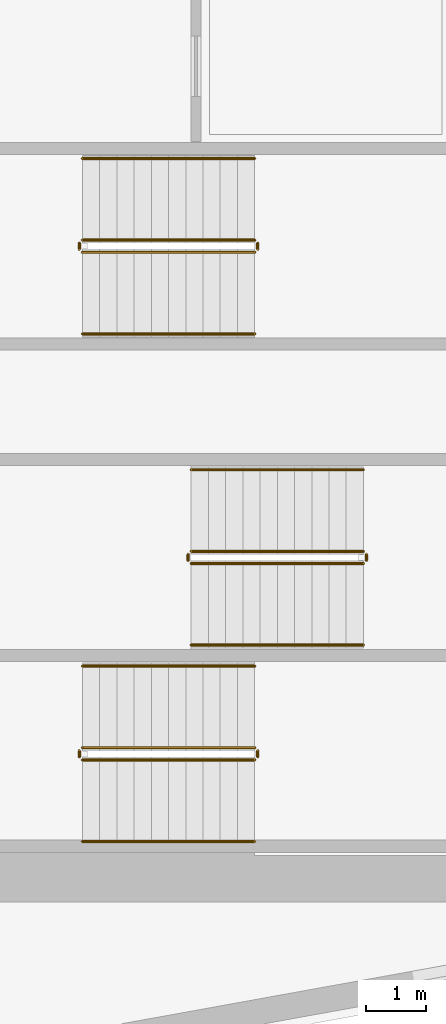
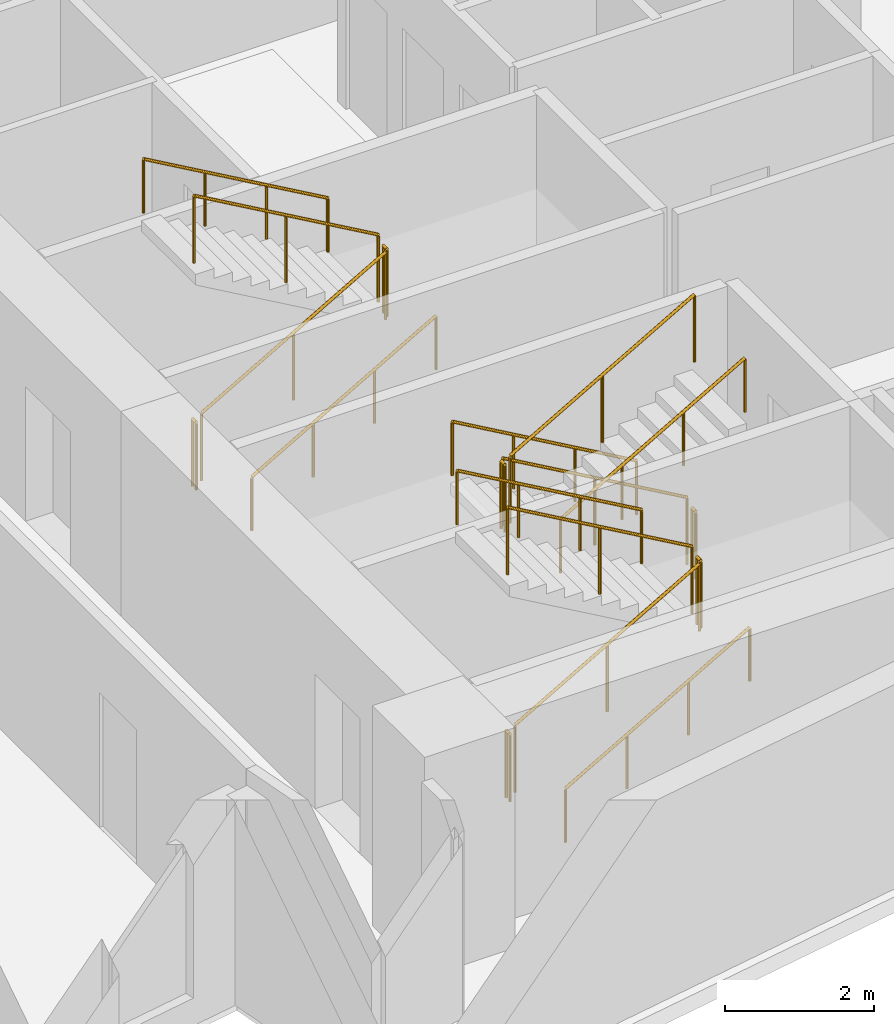
# One storey, part 18 of 19: 18 railings.
"""IFC4 building model written with IfcOpenShell, lengths in metres."""

import ifcopenshell
import ifcopenshell.guid

model = None  # the IFC model being written
_history = None  # IfcOwnerHistory: only IFC2X3 demands one
_inside = {}  # id of a spatial element -> (the spatial element, [elements in it])
_under = {}  # id of a project, library or spatial element -> (it, [spatial elements below it])
_declared = {}  # id of a project -> (the project, [libraries it declares])
_typed = {}  # id of a type object -> (the type object, [elements of that type])
_made_of = {}  # id of a material, layer set ... -> (it, [elements and type objects made of it])


def new_model(schema):
    """Start an empty IFC model of exactly this schema.

    Asked for "IFC4X3", IfcOpenShell would pick the latest addendum, in which some entities
    have other attributes; the version numbers below select the first issue.
    IFC2X3 requires an IfcOwnerHistory on every rooted entity: one is made here for all.
    """
    global model, _history
    if schema == "IFC4X3":
        model = ifcopenshell.file(schema_version=(4, 3, 0, 0))
    else:
        model = ifcopenshell.file(schema=schema)
    _inside.clear()
    _under.clear()
    _declared.clear()
    _typed.clear()
    _made_of.clear()
    _history = None
    if model.schema == "IFC2X3":
        org = make("IfcOrganization", Name="unknown")
        user = make(
            "IfcPersonAndOrganization",
            ThePerson=make("IfcPerson", FamilyName="unknown"),
            TheOrganization=org,
        )
        app = make(
            "IfcApplication",
            ApplicationDeveloper=org,
            Version="unknown",
            ApplicationFullName="unknown",
            ApplicationIdentifier="unknown",
        )
        _history = make(
            "IfcOwnerHistory",
            OwningUser=user,
            OwningApplication=app,
            ChangeAction="ADDED",
            CreationDate=0,
        )
    return model


def make(cls, **values):
    """One entity of the class cls with the attributes given. An attribute that is None is left unset."""
    return model.create_entity(
        cls, **{name: value for name, value in values.items() if value is not None}
    )


def rooted(cls, **values):
    """An entity with a GlobalId (a new one), such as an element, a storey or a relation."""
    return make(cls, GlobalId=ifcopenshell.guid.new(), OwnerHistory=_history, **values)


def si_unit(unit_type, name, prefix=None):
    """IfcSIUnit, for example si_unit("LENGTHUNIT", "METRE", prefix="MILLI")."""
    return make("IfcSIUnit", UnitType=unit_type, Prefix=prefix, Name=name)


def assignment(units):
    """IfcUnitAssignment: the units of a project."""
    return None if units is None else make("IfcUnitAssignment", Units=units)


def point(xyz):
    """IfcCartesianPoint."""
    return None if xyz is None else make("IfcCartesianPoint", Coordinates=xyz)


def direction(xyz):
    """IfcDirection."""
    return None if xyz is None else make("IfcDirection", DirectionRatios=xyz)


def frame(location, z_axis=None, x_axis=None):
    """IfcAxis2Placement3D, a coordinate frame: its origin and axes. An axis left out is left unset."""
    return make(
        "IfcAxis2Placement3D",
        Location=point(location),
        Axis=direction(z_axis),
        RefDirection=direction(x_axis),
    )


def frame_2d(location, x_axis=None):
    """IfcAxis2Placement2D, a coordinate frame in the plane: its origin and x axis."""
    return make(
        "IfcAxis2Placement2D", Location=point(location), RefDirection=direction(x_axis)
    )


def origin():
    """The frame at (0, 0, 0) with its axes left unset."""
    return frame((0.0, 0.0, 0.0))


def origin_2d():
    """The frame at (0, 0) in the plane with its x axis left unset."""
    return frame_2d((0.0, 0.0))


def place(relative_to, where):
    """IfcLocalPlacement: puts the frame where relative to a parent placement (None: the world)."""
    return make(
        "IfcLocalPlacement", PlacementRelTo=relative_to, RelativePlacement=where
    )


def context(
    kind, dimensions, precision=None, world=None, true_north=None, identifier=None
):
    """IfcGeometricRepresentationContext, for example the 3D "Model" context."""
    return make(
        "IfcGeometricRepresentationContext",
        ContextIdentifier=identifier,
        ContextType=kind,
        CoordinateSpaceDimension=dimensions,
        Precision=precision,
        WorldCoordinateSystem=world,
        TrueNorth=true_north,
    )


def subcontext(parent, identifier, kind, view, scale=None):
    """IfcGeometricRepresentationSubContext, for example "Body" below "Model"."""
    return make(
        "IfcGeometricRepresentationSubContext",
        ContextIdentifier=identifier,
        ContextType=kind,
        ParentContext=parent,
        TargetScale=scale,
        TargetView=view,
    )


def project(units=None, contexts=None):
    """IfcProject with its units and contexts."""
    return rooted(
        "IfcProject",
        Name="project",
        RepresentationContexts=contexts,
        UnitsInContext=assignment(units),
    )


def spatial(cls, under=None, at=None, **own):
    """A site, building, storey or space (cls), placed at a placement, below another one or the project."""
    s = rooted(cls, ObjectPlacement=at, **own)
    if under is not None:
        _under.setdefault(under.id(), (under, []))[1].append(s)
    return s


def profile(cls, at=None, kind="AREA", **sizes):
    """A parametric profile (cls). Its sizes go by their IFC names, for example OverallWidth=200.0."""
    return make(cls, ProfileType=kind, Position=at, **sizes)


def circle(**sizes):
    """IfcCircleProfileDef."""
    return profile("IfcCircleProfileDef", **sizes)


def extrude(swept, where, along, depth):
    """IfcExtrudedAreaSolid: the profile swept, set in the frame where, extruded along a direction by depth."""
    return make(
        "IfcExtrudedAreaSolid",
        SweptArea=swept,
        Position=where,
        ExtrudedDirection=direction(along),
        Depth=depth,
    )


def shape(context_of_items, identifier, shape_type, items):
    """IfcShapeRepresentation: the items that make up one representation, for example the "Body"."""
    return make(
        "IfcShapeRepresentation",
        ContextOfItems=context_of_items,
        RepresentationIdentifier=identifier,
        RepresentationType=shape_type,
        Items=items,
    )


def material(Name=None, Category=None):
    """IfcMaterial."""
    return make("IfcMaterial", Name=Name, Category=Category)


def made_of(thing, what):
    """Note that an element or type object is made of a material, layer set ...; save() writes the relation."""
    if what is not None:
        _made_of.setdefault(what.id(), (what, []))[1].append(thing)
    return thing


def type_object(cls, material=None, **own):
    """A type object (cls), such as IfcWallType, which elements share."""
    return made_of(rooted(cls, **own), material)


def element(
    cls,
    number,
    at=None,
    inside=None,
    cuts=None,
    type_object=None,
    material=None,
    context=None,
    identifier="Body",
    shape_type=None,
    held_by="IfcProductDefinitionShape",
    body=None,
    shapes=None,
    **own,
):
    """One element of the class cls, such as IfcWall. Its Tag is "e" and its number.

    at: its placement. inside: the storey or other place that contains it. cuts: it is an
    opening in that element (IfcRelVoidsElement). A single representation is given by context,
    identifier, shape_type and body (its items); several are given by shapes. held_by: the class
    of the entity that holds the representations. save() writes the other relations.
    """
    e = rooted(cls, Tag="e%d" % number, ObjectPlacement=at, **own)
    if body is not None:
        shapes = [shape(context, identifier, shape_type, body)]
    if shapes is not None:
        e.Representation = make(held_by, Representations=shapes)
    if inside is not None:
        _inside.setdefault(inside.id(), (inside, []))[1].append(e)
    if cuts is not None:
        rooted(
            "IfcRelVoidsElement", RelatingBuildingElement=cuts, RelatedOpeningElement=e
        )
    if type_object is not None:
        _typed.setdefault(type_object.id(), (type_object, []))[1].append(e)
    return made_of(e, material)


def aggregate(whole, parts):
    """IfcRelAggregates: a whole, such as a stair, and the parts it consists of."""
    return rooted("IfcRelAggregates", RelatingObject=whole, RelatedObjects=parts)


def save(model, path):
    """Write the relations noted so far, then the file.

    IfcRelAggregates (storeys below a building ...), IfcRelContainedInSpatialStructure (elements
    in a storey), IfcRelDefinesByType, IfcRelAssociatesMaterial and IfcRelDeclares: one each for
    every whole, place, type object, material and project.
    """
    for whole, parts in _under.values():
        aggregate(whole, parts)
    for where, things in _inside.values():
        rooted(
            "IfcRelContainedInSpatialStructure",
            RelatedElements=things,
            RelatingStructure=where,
        )
    for kind, things in _typed.values():
        rooted("IfcRelDefinesByType", RelatedObjects=things, RelatingType=kind)
    for what, things in _made_of.values():
        rooted("IfcRelAssociatesMaterial", RelatedObjects=things, RelatingMaterial=what)
    for by, libraries in _declared.values():
        rooted("IfcRelDeclares", RelatingContext=by, RelatedDefinitions=libraries)
    model.write(path)


model = new_model("IFC4")

# Units and contexts
model_context = context("Model", 3, precision=1e-05, world=origin(), true_north=direction((0.0, 1.0)))
body_context = subcontext(model_context, "Body", "Model", "MODEL_VIEW")
ifc_project = project(units=[si_unit("LENGTHUNIT", "METRE"), si_unit("AREAUNIT", "SQUARE_METRE"), si_unit("VOLUMEUNIT", "CUBIC_METRE"), si_unit("PLANEANGLEUNIT", "RADIAN"), si_unit("MASSUNIT", "GRAM", prefix="KILO")], contexts=[model_context])

# Site, building, storey
site_placement = place(None, origin())
site = spatial("IfcSite", under=ifc_project, at=site_placement, CompositionType="ELEMENT")
building_placement = place(site_placement, origin())
building = spatial("IfcBuilding", under=site, at=building_placement, Name="Narakoshi Arena Tower", CompositionType="ELEMENT")
storey_placement = place(building_placement, frame((0.0, 0.0, 113.699951171875)))
storey = spatial("IfcBuildingStorey", under=building, at=storey_placement, Name="L30", CompositionType="ELEMENT", Elevation=113.699951171875)

# Railings
ifc_material_1 = material(Name="Clear low-iron laminated structural glass", Category="glass")
railing_type_1 = type_object("IfcRailingType", Name="RL-BAL-1100", PredefinedType="BALUSTRADE", material=ifc_material_1)
railing_1_placement = place(storey_placement, frame((74.39990234375, 36.949951171875, 0.16357421875)))
element("IfcRailing", 1, at=railing_1_placement, inside=storey, type_object=railing_type_1, Name="L30 ST1 stair guard 1", PredefinedType="BALUSTRADE", context=body_context, shape_type="SweptSolid", body=[
    extrude(circle(Radius=0.02392578125, at=origin_2d()), frame((0.0, 0.0, 1.09619140625), z_axis=(0.86721270334, 0.0, 0.497937874806), x_axis=(0.0, 1.0, 0.0)), (0.0, 0.0, 1.0), 3.28662109375),
    extrude(circle(Radius=0.02099609375, at=origin_2d()), origin(), (0.0, 0.0, 1.0), 1.072021484375),
    extrude(circle(Radius=0.02099609375, at=origin_2d()), frame((1.425048828125, 0.0, 0.818359375)), (0.0, 0.0, 1.0), 1.072021484375),
    extrude(circle(Radius=0.02099609375, at=origin_2d()), frame((2.85009765625, 0.0, 1.636474609375)), (0.0, 0.0, 1.0), 1.072021484375),
])
railing_2_placement = place(storey_placement, frame((77.300048828125, 37.0, 1.800048828125)))
element("IfcRailing", 2, at=railing_2_placement, inside=storey, type_object=railing_type_1, Name="L30 ST1 stair guard 2", PredefinedType="BALUSTRADE", context=body_context, shape_type="SweptSolid", body=[
    extrude(circle(Radius=0.02392578125, at=origin_2d()), frame((0.0, 0.0, 1.09619140625), z_axis=(0.0, 1.0, 0.0), x_axis=(-1.0, 0.0, 0.0)), (0.0, 0.0, 1.0), 0.10009765625),
    extrude(circle(Radius=0.02099609375, at=origin_2d()), origin(), (0.0, 0.0, 1.0), 1.072021484375),
    extrude(circle(Radius=0.02099609375, at=origin_2d()), frame((0.0, 0.10009765625, 0.0)), (0.0, 0.0, 1.0), 1.072021484375),
])
railing_3_placement = place(storey_placement, frame((77.25, 37.14990234375, 1.963623046875)))
element("IfcRailing", 3, at=railing_3_placement, inside=storey, type_object=railing_type_1, Name="L30 ST1 stair guard 3", PredefinedType="BALUSTRADE", context=body_context, shape_type="SweptSolid", body=[
    extrude(circle(Radius=0.02392578125, at=origin_2d()), frame((0.0, 0.0, 1.09619140625), z_axis=(-0.86721270334, 0.0, 0.497937874806), x_axis=(0.0, -1.0, 0.0)), (0.0, 0.0, 1.0), 3.28662109375),
    extrude(circle(Radius=0.02099609375, at=origin_2d()), origin(), (0.0, 0.0, 1.0), 1.072021484375),
    extrude(circle(Radius=0.02099609375, at=origin_2d()), frame((-1.425048828125, 0.0, 0.818359375)), (0.0, 0.0, 1.0), 1.072021484375),
    extrude(circle(Radius=0.02099609375, at=origin_2d()), frame((-2.85009765625, 0.0, 1.636474609375)), (0.0, 0.0, 1.0), 1.072021484375),
])
railing_4_placement = place(storey_placement, frame((74.35009765625, 37.0, 0.0)))
element("IfcRailing", 4, at=railing_4_placement, inside=storey, type_object=railing_type_1, Name="L30 ST1 stair guard 4", PredefinedType="BALUSTRADE", context=body_context, shape_type="SweptSolid", body=[
    extrude(circle(Radius=0.02392578125, at=origin_2d()), frame((0.0, 0.0, 1.09619140625), z_axis=(0.0, 1.0, 0.0), x_axis=(-1.0, 0.0, 0.0)), (0.0, 0.0, 1.0), 0.10009765625),
    extrude(circle(Radius=0.02099609375, at=origin_2d()), origin(), (0.0, 0.0, 1.0), 1.072021484375),
    extrude(circle(Radius=0.02099609375, at=origin_2d()), frame((0.0, 0.10009765625, 0.0)), (0.0, 0.0, 1.0), 1.072021484375),
])
railing_5_placement = place(storey_placement, frame((79.050048828125, 40.39990234375, 0.16357421875)))
element("IfcRailing", 5, at=railing_5_placement, inside=storey, type_object=railing_type_1, Name="L30 ST2 stair guard 1", PredefinedType="BALUSTRADE", context=body_context, shape_type="SweptSolid", body=[
    extrude(circle(Radius=0.02392578125, at=origin_2d()), frame((0.0, 0.0, 1.09619140625), z_axis=(-0.86721270334, 0.0, 0.497937874806), x_axis=(0.0, -1.0, 0.0)), (0.0, 0.0, 1.0), 3.28662109375),
    extrude(circle(Radius=0.02099609375, at=origin_2d()), origin(), (0.0, 0.0, 1.0), 1.072021484375),
    extrude(circle(Radius=0.02099609375, at=origin_2d()), frame((-1.425048828125, 0.0, 0.818359375)), (0.0, 0.0, 1.0), 1.072021484375),
    extrude(circle(Radius=0.02099609375, at=origin_2d()), frame((-2.85009765625, 0.0, 1.636474609375)), (0.0, 0.0, 1.0), 1.072021484375),
])
railing_6_placement = place(storey_placement, frame((76.14990234375, 40.35009765625, 1.800048828125)))
element("IfcRailing", 6, at=railing_6_placement, inside=storey, type_object=railing_type_1, Name="L30 ST2 stair guard 2", PredefinedType="BALUSTRADE", context=body_context, shape_type="SweptSolid", body=[
    extrude(circle(Radius=0.02392578125, at=origin_2d()), frame((0.0, 0.0, 1.09619140625), z_axis=(0.0, -1.0, 0.0), x_axis=(1.0, 0.0, 0.0)), (0.0, 0.0, 1.0), 0.10009765625),
    extrude(circle(Radius=0.02099609375, at=origin_2d()), origin(), (0.0, 0.0, 1.0), 1.072021484375),
    extrude(circle(Radius=0.02099609375, at=origin_2d()), frame((0.0, -0.10009765625, 0.0)), (0.0, 0.0, 1.0), 1.072021484375),
])
railing_7_placement = place(storey_placement, frame((76.199951171875, 40.199951171875, 1.963623046875)))
element("IfcRailing", 7, at=railing_7_placement, inside=storey, type_object=railing_type_1, Name="L30 ST2 stair guard 3", PredefinedType="BALUSTRADE", context=body_context, shape_type="SweptSolid", body=[
    extrude(circle(Radius=0.02392578125, at=origin_2d()), frame((0.0, 0.0, 1.09619140625), z_axis=(0.86721270334, 0.0, 0.497937874806), x_axis=(0.0, 1.0, 0.0)), (0.0, 0.0, 1.0), 3.28662109375),
    extrude(circle(Radius=0.02099609375, at=origin_2d()), origin(), (0.0, 0.0, 1.0), 1.072021484375),
    extrude(circle(Radius=0.02099609375, at=origin_2d()), frame((1.425048828125, 0.0, 0.818359375)), (0.0, 0.0, 1.0), 1.072021484375),
    extrude(circle(Radius=0.02099609375, at=origin_2d()), frame((2.85009765625, 0.0, 1.636474609375)), (0.0, 0.0, 1.0), 1.072021484375),
])
railing_8_placement = place(storey_placement, frame((79.10009765625, 40.35009765625, 0.0)))
element("IfcRailing", 8, at=railing_8_placement, inside=storey, type_object=railing_type_1, Name="L30 ST2 stair guard 4", PredefinedType="BALUSTRADE", context=body_context, shape_type="SweptSolid", body=[
    extrude(circle(Radius=0.02392578125, at=origin_2d()), frame((0.0, 0.0, 1.09619140625), z_axis=(0.0, -1.0, 0.0), x_axis=(1.0, 0.0, 0.0)), (0.0, 0.0, 1.0), 0.10009765625),
    extrude(circle(Radius=0.02099609375, at=origin_2d()), origin(), (0.0, 0.0, 1.0), 1.072021484375),
    extrude(circle(Radius=0.02099609375, at=origin_2d()), frame((0.0, -0.10009765625, 0.0)), (0.0, 0.0, 1.0), 1.072021484375),
])
railing_9_placement = place(storey_placement, frame((74.39990234375, 45.35009765625, 0.16357421875)))
element("IfcRailing", 9, at=railing_9_placement, inside=storey, type_object=railing_type_1, Name="L30 ST3 stair guard 1", PredefinedType="BALUSTRADE", context=body_context, shape_type="SweptSolid", body=[
    extrude(circle(Radius=0.02392578125, at=origin_2d()), frame((0.0, 0.0, 1.09619140625), z_axis=(0.86721270334, 0.0, 0.497937874806), x_axis=(0.0, 1.0, 0.0)), (0.0, 0.0, 1.0), 3.28662109375),
    extrude(circle(Radius=0.02099609375, at=origin_2d()), origin(), (0.0, 0.0, 1.0), 1.072021484375),
    extrude(circle(Radius=0.02099609375, at=origin_2d()), frame((1.425048828125, 0.0, 0.818359375)), (0.0, 0.0, 1.0), 1.072021484375),
    extrude(circle(Radius=0.02099609375, at=origin_2d()), frame((2.85009765625, 0.0, 1.636474609375)), (0.0, 0.0, 1.0), 1.072021484375),
])
railing_10_placement = place(storey_placement, frame((77.300048828125, 45.39990234375, 1.800048828125)))
element("IfcRailing", 10, at=railing_10_placement, inside=storey, type_object=railing_type_1, Name="L30 ST3 stair guard 2", PredefinedType="BALUSTRADE", context=body_context, shape_type="SweptSolid", body=[
    extrude(circle(Radius=0.02392578125, at=origin_2d()), frame((0.0, 0.0, 1.09619140625), z_axis=(0.0, 1.0, 0.0), x_axis=(-1.0, 0.0, 0.0)), (0.0, 0.0, 1.0), 0.10009765625),
    extrude(circle(Radius=0.02099609375, at=origin_2d()), origin(), (0.0, 0.0, 1.0), 1.072021484375),
    extrude(circle(Radius=0.02099609375, at=origin_2d()), frame((0.0, 0.10009765625, 0.0)), (0.0, 0.0, 1.0), 1.072021484375),
])
railing_11_placement = place(storey_placement, frame((77.25, 45.550048828125, 1.963623046875)))
element("IfcRailing", 11, at=railing_11_placement, inside=storey, type_object=railing_type_1, Name="L30 ST3 stair guard 3", PredefinedType="BALUSTRADE", context=body_context, shape_type="SweptSolid", body=[
    extrude(circle(Radius=0.02392578125, at=origin_2d()), frame((0.0, 0.0, 1.09619140625), z_axis=(-0.86721270334, 0.0, 0.497937874806), x_axis=(0.0, -1.0, 0.0)), (0.0, 0.0, 1.0), 3.28662109375),
    extrude(circle(Radius=0.02099609375, at=origin_2d()), origin(), (0.0, 0.0, 1.0), 1.072021484375),
    extrude(circle(Radius=0.02099609375, at=origin_2d()), frame((-1.425048828125, 0.0, 0.818359375)), (0.0, 0.0, 1.0), 1.072021484375),
    extrude(circle(Radius=0.02099609375, at=origin_2d()), frame((-2.85009765625, 0.0, 1.636474609375)), (0.0, 0.0, 1.0), 1.072021484375),
])
railing_12_placement = place(storey_placement, frame((74.35009765625, 45.39990234375, 0.0)))
element("IfcRailing", 12, at=railing_12_placement, inside=storey, type_object=railing_type_1, Name="L30 ST3 stair guard 4", PredefinedType="BALUSTRADE", context=body_context, shape_type="SweptSolid", body=[
    extrude(circle(Radius=0.02392578125, at=origin_2d()), frame((0.0, 0.0, 1.09619140625), z_axis=(0.0, 1.0, 0.0), x_axis=(-1.0, 0.0, 0.0)), (0.0, 0.0, 1.0), 0.10009765625),
    extrude(circle(Radius=0.02099609375, at=origin_2d()), origin(), (0.0, 0.0, 1.0), 1.072021484375),
    extrude(circle(Radius=0.02099609375, at=origin_2d()), frame((0.0, 0.10009765625, 0.0)), (0.0, 0.0, 1.0), 1.072021484375),
])
ifc_material_2 = material(Name="Brushed bronze stainless steel", Category="steel")
railing_type_2 = type_object("IfcRailingType", Name="RL-HND-900", PredefinedType="HANDRAIL", material=ifc_material_2)
railing_13_placement = place(storey_placement, frame((74.39990234375, 35.60009765625, 0.16357421875)))
element("IfcRailing", 13, at=railing_13_placement, inside=storey, type_object=railing_type_2, Name="L30 ST1 stair handrail 1", PredefinedType="HANDRAIL", context=body_context, shape_type="SweptSolid", body=[
    extrude(circle(Radius=0.02392578125, at=origin_2d()), frame((0.0, 0.0, 0.8759765625), z_axis=(0.86721270334, 0.0, 0.497937874806), x_axis=(0.0, 1.0, 0.0)), (0.0, 0.0, 1.0), 3.28662109375),
    extrude(circle(Radius=0.02099609375, at=origin_2d()), origin(), (0.0, 0.0, 1.0), 0.851806640625),
    extrude(circle(Radius=0.02099609375, at=origin_2d()), frame((0.949951171875, 0.0, 0.54541015625)), (0.0, 0.0, 1.0), 0.851806640625),
    extrude(circle(Radius=0.02099609375, at=origin_2d()), frame((1.900146484375, 0.0, 1.091064453125)), (0.0, 0.0, 1.0), 0.851806640625),
    extrude(circle(Radius=0.02099609375, at=origin_2d()), frame((2.85009765625, 0.0, 1.636474609375)), (0.0, 0.0, 1.0), 0.851806640625),
])
for number, where, name in (
    (14, (77.25, 38.5, 1.963623046875), "L30 ST1 stair handrail 2"),
    (15, (79.050048828125, 41.75, 0.16357421875), "L30 ST2 stair handrail 1"),
):
    element("IfcRailing", number, at=place(storey_placement, frame(where)), inside=storey, type_object=railing_type_2, Name=name, PredefinedType="HANDRAIL", context=body_context, shape_type="SweptSolid", body=[
        extrude(circle(Radius=0.02392578125, at=origin_2d()), frame((0.0, 0.0, 0.8759765625), z_axis=(-0.86721270334, 0.0, 0.497937874806), x_axis=(0.0, -1.0, 0.0)), (0.0, 0.0, 1.0), 3.28662109375),
        extrude(circle(Radius=0.02099609375, at=origin_2d()), origin(), (0.0, 0.0, 1.0), 0.851806640625),
        extrude(circle(Radius=0.02099609375, at=origin_2d()), frame((-0.949951171875, 0.0, 0.54541015625)), (0.0, 0.0, 1.0), 0.851806640625),
        extrude(circle(Radius=0.02099609375, at=origin_2d()), frame((-1.900146484375, 0.0, 1.091064453125)), (0.0, 0.0, 1.0), 0.851806640625),
        extrude(circle(Radius=0.02099609375, at=origin_2d()), frame((-2.85009765625, 0.0, 1.636474609375)), (0.0, 0.0, 1.0), 0.851806640625),
    ])
for number, where, name in (
    (16, (76.199951171875, 38.85009765625, 1.963623046875), "L30 ST2 stair handrail 2"),
    (17, (74.39990234375, 44.0, 0.16357421875), "L30 ST3 stair handrail 1"),
):
    element("IfcRailing", number, at=place(storey_placement, frame(where)), inside=storey, type_object=railing_type_2, Name=name, PredefinedType="HANDRAIL", context=body_context, shape_type="SweptSolid", body=[
        extrude(circle(Radius=0.02392578125, at=origin_2d()), frame((0.0, 0.0, 0.8759765625), z_axis=(0.86721270334, 0.0, 0.497937874806), x_axis=(0.0, 1.0, 0.0)), (0.0, 0.0, 1.0), 3.28662109375),
        extrude(circle(Radius=0.02099609375, at=origin_2d()), origin(), (0.0, 0.0, 1.0), 0.851806640625),
        extrude(circle(Radius=0.02099609375, at=origin_2d()), frame((0.949951171875, 0.0, 0.54541015625)), (0.0, 0.0, 1.0), 0.851806640625),
        extrude(circle(Radius=0.02099609375, at=origin_2d()), frame((1.900146484375, 0.0, 1.091064453125)), (0.0, 0.0, 1.0), 0.851806640625),
        extrude(circle(Radius=0.02099609375, at=origin_2d()), frame((2.85009765625, 0.0, 1.636474609375)), (0.0, 0.0, 1.0), 0.851806640625),
    ])
railing_14_placement = place(storey_placement, frame((77.25, 46.89990234375, 1.963623046875)))
element("IfcRailing", 18, at=railing_14_placement, inside=storey, type_object=railing_type_2, Name="L30 ST3 stair handrail 2", PredefinedType="HANDRAIL", context=body_context, shape_type="SweptSolid", body=[
    extrude(circle(Radius=0.02392578125, at=origin_2d()), frame((0.0, 0.0, 0.8759765625), z_axis=(-0.86721270334, 0.0, 0.497937874806), x_axis=(0.0, -1.0, 0.0)), (0.0, 0.0, 1.0), 3.28662109375),
    extrude(circle(Radius=0.02099609375, at=origin_2d()), origin(), (0.0, 0.0, 1.0), 0.851806640625),
    extrude(circle(Radius=0.02099609375, at=origin_2d()), frame((-0.949951171875, 0.0, 0.54541015625)), (0.0, 0.0, 1.0), 0.851806640625),
    extrude(circle(Radius=0.02099609375, at=origin_2d()), frame((-1.900146484375, 0.0, 1.091064453125)), (0.0, 0.0, 1.0), 0.851806640625),
    extrude(circle(Radius=0.02099609375, at=origin_2d()), frame((-2.85009765625, 0.0, 1.636474609375)), (0.0, 0.0, 1.0), 0.851806640625),
])

save(model, "model.ifc")
